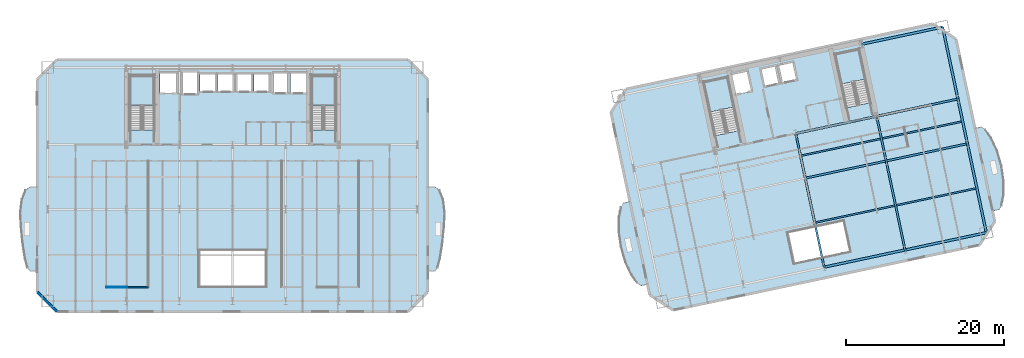
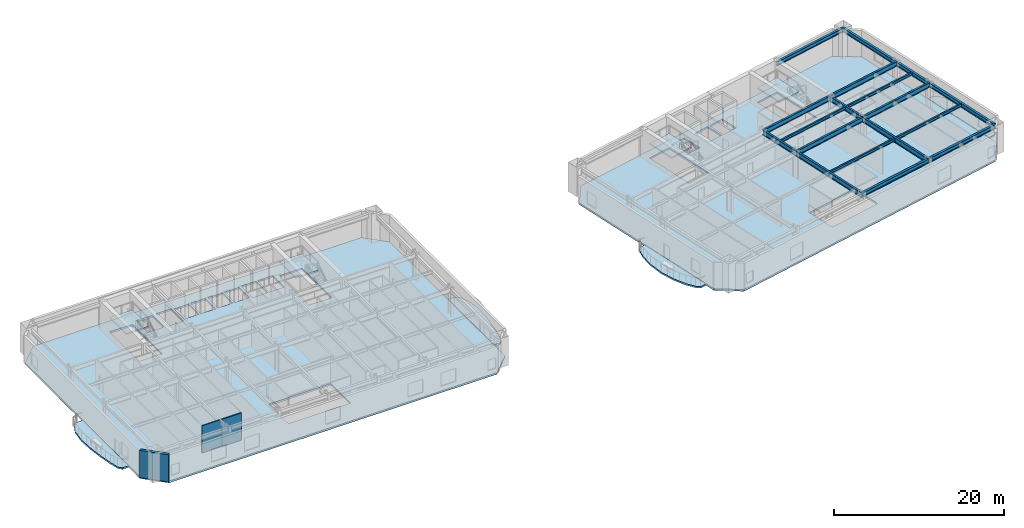
# One storey, part 4 of 15: 18 beams, 10 slabs, 3 walls, 4 elements without a shape of their own.
"""IFC4 building model written with IfcOpenShell, lengths in metres."""

from ifc_helpers import new_model, si_unit, direction, frame, frame_2d, origin, origin_2d, place, context, subcontext, project, spatial, polyline, rectangle, i_section, outline, extrude, material, layer, layer_set, material_profile, profile_set, type_object, element, aggregate, save


model = new_model("IFC4")

# Units and contexts
model_context = context("Model", 3, precision=1e-05, world=origin(), true_north=direction((0.0, 1.0)))
body_context = subcontext(model_context, "Body", "Model", "MODEL_VIEW")
ifc_project = project(units=[si_unit("LENGTHUNIT", "METRE"), si_unit("AREAUNIT", "SQUARE_METRE"), si_unit("VOLUMEUNIT", "CUBIC_METRE"), si_unit("PLANEANGLEUNIT", "RADIAN"), si_unit("MASSUNIT", "GRAM", prefix="KILO")], contexts=[model_context])

# Site, building, storey
site_placement = place(None, origin())
site = spatial("IfcSite", under=ifc_project, at=site_placement, CompositionType="ELEMENT")
building_placement = place(site_placement, origin())
building = spatial("IfcBuilding", under=site, at=building_placement, Name="Haevon Station Towers", CompositionType="ELEMENT")
storey_placement = place(building_placement, frame((0.0, 0.0, 77.699951171875)))
storey = spatial("IfcBuildingStorey", under=building, at=storey_placement, Name="L20", CompositionType="ELEMENT", Elevation=77.699951171875)

# Beams
ifc_material_1 = material(Name="Steel S355", Category="steel")
ifc_material_profile_1 = material_profile(ifc_material_1, i_section(OverallWidth=0.25, OverallDepth=0.699951171875, WebThickness=0.012939453125, FlangeThickness=0.02392578125, at=origin_2d()), Name="H-700x250x13x24")
ifc_profile_set_1 = profile_set([ifc_material_profile_1], Name="Steel S355")
beam_type_1 = type_object("IfcBeamType", Name="BM-G700", PredefinedType="BEAM", material=ifc_profile_set_1)
beam_1_placement = place(storey_placement, frame((110.228759765625, 33.9521484375, 3.570068359375), z_axis=(0.978146794194, 0.207915485254, 0.0), x_axis=(-0.207915485254, 0.978146794194, 0.0)))
element("IfcBeam", 1, at=beam_1_placement, inside=storey, type_object=beam_type_1, Name="BM-T2U-L20-02-03", PredefinedType="BEAM", context=body_context, shape_type="SweptSolid", body=[
    extrude(i_section(OverallWidth=0.25, OverallDepth=0.699951171875, WebThickness=0.012939453125, FlangeThickness=0.02392578125, at=origin_2d()), origin(), (0.0, 0.0, 1.0), 10.5),
])
beam_2_placement = place(storey_placement, frame((120.499267578125, 36.13525390625, 3.570068359375), z_axis=(0.978145498476, 0.207921580918, 0.0), x_axis=(-0.207921580918, 0.978145498476, 0.0)))
element("IfcBeam", 2, at=beam_2_placement, inside=storey, type_object=beam_type_1, Name="BM-T2U-L20-02-04", PredefinedType="BEAM", context=body_context, shape_type="SweptSolid", body=[
    extrude(i_section(OverallWidth=0.25, OverallDepth=0.699951171875, WebThickness=0.012939453125, FlangeThickness=0.02392578125, at=origin_2d()), origin(), (0.0, 0.0, 1.0), 10.550048828125),
])
beam_3_placement = place(storey_placement, frame((109.02294921875, 39.62548828125, 3.570068359375), z_axis=(0.978146794194, 0.207915485254, 0.0), x_axis=(-0.207915485254, 0.978146794194, 0.0)))
element("IfcBeam", 3, at=beam_3_placement, inside=storey, type_object=beam_type_1, Name="BM-T2U-L20-03-03", PredefinedType="BEAM", context=body_context, shape_type="SweptSolid", body=[
    extrude(i_section(OverallWidth=0.25, OverallDepth=0.699951171875, WebThickness=0.012939453125, FlangeThickness=0.02392578125, at=origin_2d()), origin(), (0.0, 0.0, 1.0), 10.5),
])
beam_4_placement = place(storey_placement, frame((119.29345703125, 41.80859375, 3.570068359375), z_axis=(0.978149204359, 0.207904146209, 0.0), x_axis=(-0.207904146209, 0.978149204359, 0.0)))
element("IfcBeam", 4, at=beam_4_placement, inside=storey, type_object=beam_type_1, Name="BM-T2U-L20-03-04", PredefinedType="BEAM", context=body_context, shape_type="SweptSolid", body=[
    extrude(i_section(OverallWidth=0.25, OverallDepth=0.699951171875, WebThickness=0.012939453125, FlangeThickness=0.02392578125, at=origin_2d()), origin(), (0.0, 0.0, 1.0), 10.5498046875),
])
beam_5_placement = place(storey_placement, frame((112.630126953125, 22.654541015625, 3.570068359375), z_axis=(-0.207910580697, 0.978147836697, 0.0), x_axis=(-0.978147836697, -0.207910580697, 0.0)))
element("IfcBeam", 5, at=beam_5_placement, inside=storey, type_object=beam_type_1, Name="BM-T2V-L20-03-01", PredefinedType="BEAM", context=body_context, shape_type="SweptSolid", body=[
    extrude(i_section(OverallWidth=0.25, OverallDepth=0.699951171875, WebThickness=0.012939453125, FlangeThickness=0.02392578125, at=origin_2d()), origin(), (0.0, 0.0, 1.0), 11.550048828125),
])
beam_6_placement = place(storey_placement, frame((110.228759765625, 33.9521484375, 3.570068359375), z_axis=(-0.207896009217, 0.97815093383, 0.0), x_axis=(-0.97815093383, -0.207896009217, 0.0)))
element("IfcBeam", 6, at=beam_6_placement, inside=storey, type_object=beam_type_1, Name="BM-T2V-L20-03-02", PredefinedType="BEAM", context=body_context, shape_type="SweptSolid", body=[
    extrude(i_section(OverallWidth=0.25, OverallDepth=0.699951171875, WebThickness=0.012939453125, FlangeThickness=0.02392578125, at=origin_2d()), origin(), (0.0, 0.0, 1.0), 5.800048828125),
])
beam_7_placement = place(storey_placement, frame((122.900634765625, 24.837646484375, 3.570068359375), z_axis=(-0.207910580697, 0.978147836697, 0.0), x_axis=(-0.978147836697, -0.207910580697, 0.0)))
element("IfcBeam", 7, at=beam_7_placement, inside=storey, type_object=beam_type_1, Name="BM-T2V-L20-04-01", PredefinedType="BEAM", context=body_context, shape_type="SweptSolid", body=[
    extrude(i_section(OverallWidth=0.25, OverallDepth=0.699951171875, WebThickness=0.012939453125, FlangeThickness=0.02392578125, at=origin_2d()), origin(), (0.0, 0.0, 1.0), 11.550048828125),
])
beam_8_placement = place(storey_placement, frame((120.499267578125, 36.13525390625, 3.570068359375), z_axis=(-0.207896009217, 0.97815093383, 0.0), x_axis=(-0.97815093383, -0.207896009217, 0.0)))
element("IfcBeam", 8, at=beam_8_placement, inside=storey, type_object=beam_type_1, Name="BM-T2V-L20-04-02", PredefinedType="BEAM", context=body_context, shape_type="SweptSolid", body=[
    extrude(i_section(OverallWidth=0.25, OverallDepth=0.699951171875, WebThickness=0.012939453125, FlangeThickness=0.02392578125, at=origin_2d()), origin(), (0.0, 0.0, 1.0), 5.800048828125),
])
ifc_material_profile_2 = material_profile(ifc_material_1, i_section(OverallWidth=0.199951171875, OverallDepth=0.39990234375, WebThickness=0.008056640625, FlangeThickness=0.012939453125, at=origin_2d()), Name="H-400x200x8x13")
ifc_profile_set_2 = profile_set([ifc_material_profile_2], Name="Steel S355")
beam_type_2 = type_object("IfcBeamType", Name="BM-J400", PredefinedType="JOIST", material=ifc_profile_set_2)
beam_9_placement = place(storey_placement, frame((111.537109375, 28.326416015625, 3.719970703125), z_axis=(0.978150339653, 0.207898804801, 0.0), x_axis=(-0.207898804801, 0.978150339653, 0.0)))
element("IfcBeam", 9, at=beam_9_placement, inside=storey, type_object=beam_type_2, Name="BM-T2J-L20-01-03", PredefinedType="JOIST", context=body_context, shape_type="SweptSolid", body=[
    extrude(i_section(OverallWidth=0.199951171875, OverallDepth=0.39990234375, WebThickness=0.008056640625, FlangeThickness=0.012939453125, at=origin_2d()), origin(), (0.0, 0.0, 1.0), 10.280029296875),
])
beam_10_placement = place(storey_placement, frame((121.8076171875, 30.50927734375, 3.719970703125), z_axis=(0.978147977643, 0.207909917591, 0.0), x_axis=(-0.207909917591, 0.978147977643, 0.0)))
element("IfcBeam", 10, at=beam_10_placement, inside=storey, type_object=beam_type_2, Name="BM-T2J-L20-01-04", PredefinedType="JOIST", context=body_context, shape_type="SweptSolid", body=[
    extrude(i_section(OverallWidth=0.199951171875, OverallDepth=0.39990234375, WebThickness=0.008056640625, FlangeThickness=0.012939453125, at=origin_2d()), origin(), (0.0, 0.0, 1.0), 10.330078125),
])
beam_11_placement = place(storey_placement, frame((109.7333984375, 36.811767578125, 3.719970703125), z_axis=(0.978150339653, 0.207898804801, 0.0), x_axis=(-0.207898804801, 0.978150339653, 0.0)))
element("IfcBeam", 11, at=beam_11_placement, inside=storey, type_object=beam_type_2, Name="BM-T2J-L20-02-03", PredefinedType="JOIST", context=body_context, shape_type="SweptSolid", body=[
    extrude(i_section(OverallWidth=0.199951171875, OverallDepth=0.39990234375, WebThickness=0.008056640625, FlangeThickness=0.012939453125, at=origin_2d()), origin(), (0.0, 0.0, 1.0), 10.280029296875),
])
beam_12_placement = place(storey_placement, frame((120.00390625, 38.994873046875, 3.719970703125), z_axis=(0.978147977643, 0.207909917591, 0.0), x_axis=(-0.207909917591, 0.978147977643, 0.0)))
element("IfcBeam", 12, at=beam_12_placement, inside=storey, type_object=beam_type_2, Name="BM-T2J-L20-02-04", PredefinedType="JOIST", context=body_context, shape_type="SweptSolid", body=[
    extrude(i_section(OverallWidth=0.199951171875, OverallDepth=0.39990234375, WebThickness=0.008056640625, FlangeThickness=0.012939453125, at=origin_2d()), origin(), (0.0, 0.0, 1.0), 10.330078125),
])
ifc_material_profile_3 = material_profile(ifc_material_1, i_section(OverallWidth=0.300048828125, OverallDepth=0.587890625, WebThickness=0.011962890625, FlangeThickness=0.02001953125, at=origin_2d()), Name="H-588x300x12x20")
ifc_profile_set_3 = profile_set([ifc_material_profile_3], Name="Steel S355")
beam_type_3 = type_object("IfcBeamType", Name="BM-SP588", PredefinedType="SPANDREL", material=ifc_profile_set_3)
beam_13_placement = place(storey_placement, frame((112.630126953125, 22.654541015625, 3.6259765625), z_axis=(0.978146794194, 0.207915485254, 0.0), x_axis=(-0.207915485254, 0.978146794194, 0.0)))
element("IfcBeam", 13, at=beam_13_placement, inside=storey, type_object=beam_type_3, Name="BM-T2U-L20-01-03", PredefinedType="SPANDREL", context=body_context, shape_type="SweptSolid", body=[
    extrude(i_section(OverallWidth=0.300048828125, OverallDepth=0.587890625, WebThickness=0.011962890625, FlangeThickness=0.02001953125, at=origin_2d()), origin(), (0.0, 0.0, 1.0), 10.5),
])
for number, where, z_axis, x_axis, name in (
    (14, (122.900634765625, 24.837646484375, 3.6259765625), (0.978145498476, 0.207921580918, 0.0), (-0.207921580918, 0.978145498476, 0.0), "BM-T2U-L20-01-04"),
    (15, (117.349365234375, 50.954345703125, 3.6259765625), (0.978150204601, 0.207899440208, 0.0), (-0.207899440208, 0.978150204601, 0.0), "BM-T2U-L20-04-04"),
):
    element("IfcBeam", number, at=place(storey_placement, frame(where, z_axis=z_axis, x_axis=x_axis)), inside=storey, type_object=beam_type_3, Name=name, PredefinedType="SPANDREL", context=body_context, shape_type="SweptSolid", body=[
        extrude(i_section(OverallWidth=0.300048828125, OverallDepth=0.587890625, WebThickness=0.011962890625, FlangeThickness=0.02001953125, at=origin_2d()), origin(), (0.0, 0.0, 1.0), 10.550048828125),
    ])
beam_14_placement = place(storey_placement, frame((133.22021484375, 27.03125, 3.6259765625), z_axis=(-0.207910580697, 0.978147836697, 0.0), x_axis=(-0.978147836697, -0.207910580697, 0.0)))
element("IfcBeam", 16, at=beam_14_placement, inside=storey, type_object=beam_type_3, Name="BM-T2V-L20-05-01", PredefinedType="SPANDREL", context=body_context, shape_type="SweptSolid", body=[
    extrude(i_section(OverallWidth=0.300048828125, OverallDepth=0.587890625, WebThickness=0.011962890625, FlangeThickness=0.02001953125, at=origin_2d()), origin(), (0.0, 0.0, 1.0), 11.550048828125),
])
beam_15_placement = place(storey_placement, frame((130.81884765625, 38.328857421875, 3.6259765625), z_axis=(-0.207944843707, 0.978140553282, 0.0), x_axis=(-0.978140553282, -0.207944843707, 0.0)))
element("IfcBeam", 17, at=beam_15_placement, inside=storey, type_object=beam_type_3, Name="BM-T2V-L20-05-02", PredefinedType="SPANDREL", context=body_context, shape_type="SweptSolid", body=[
    extrude(i_section(OverallWidth=0.300048828125, OverallDepth=0.587890625, WebThickness=0.011962890625, FlangeThickness=0.02001953125, at=origin_2d()), origin(), (0.0, 0.0, 1.0), 5.7998046875),
])
beam_16_placement = place(storey_placement, frame((129.61279296875, 44.001953125, 3.6259765625), z_axis=(-0.207897167074, 0.978150687738, 0.0), x_axis=(-0.978150687738, -0.207897167074, 0.0)))
element("IfcBeam", 18, at=beam_16_placement, inside=storey, type_object=beam_type_3, Name="BM-T2V-L20-05-03", PredefinedType="SPANDREL", context=body_context, shape_type="SweptSolid", body=[
    extrude(i_section(OverallWidth=0.300048828125, OverallDepth=0.587890625, WebThickness=0.011962890625, FlangeThickness=0.02001953125, at=origin_2d()), origin(), (0.0, 0.0, 1.0), 9.35009765625),
])

# Slabs
ifc_material_2 = material(Name="Concrete C40/50", Category="concrete")
ifc_layer_1 = layer(ifc_material_2, 0.219970703125)
ifc_layer_set_1 = layer_set([ifc_layer_1], Name="Concrete C40/50")
slab_type_1 = type_object("IfcSlabType", Name="SL-BALC220", PredefinedType="FLOOR", material=ifc_layer_set_1)
slab_1_placement = place(storey_placement, frame((0.0, 0.0, -0.219970703125)))
element("IfcSlab", 19, at=slab_1_placement, inside=storey, type_object=slab_type_1, Name="Tower 1 L20 West SCALLOPED BALCONY", PredefinedType="FLOOR", context=body_context, shape_type="SweptSolid", body=[
    extrude(outline(polyline([(12.695068359375, 32.89990234375), (11.81298828125, 32.89990234375), (11.231689453125, 32.489013671875), (10.7412109375, 31.318359375), (10.51611328125, 29.56640625), (10.594970703125, 27.5), (10.859130859375, 25.43359375), (11.162353515625, 23.681640625), (11.462158203125, 22.510986328125), (11.81298828125, 22.10009765625), (12.695068359375, 22.10009765625), (12.695068359375, 32.89990234375)])), origin(), (0.0, 0.0, 1.0), 0.219970703125),
])
slab_2_placement = place(storey_placement, frame((0.0, 0.0, -0.219970703125)))
element("IfcSlab", 20, at=slab_2_placement, inside=storey, type_object=slab_type_1, Name="Tower 1 L20 East SCALLOPED BALCONY", PredefinedType="FLOOR", context=body_context, shape_type="SweptSolid", body=[
    extrude(outline(polyline([(62.304931640625, 22.10009765625), (63.18701171875, 22.10009765625), (63.537841796875, 22.510986328125), (63.837646484375, 23.681640625), (64.140869140625, 25.43359375), (64.405029296875, 27.5), (64.48388671875, 29.56640625), (64.2587890625, 31.318359375), (63.768310546875, 32.489013671875), (63.18701171875, 32.89990234375), (62.304931640625, 32.89990234375), (62.304931640625, 22.10009765625)])), origin(), (0.0, 0.0, 1.0), 0.219970703125),
])
slab_3_placement = place(storey_placement, frame((0.0, 0.0, -0.219970703125)))
element("IfcSlab", 21, at=slab_3_placement, inside=storey, type_object=slab_type_1, Name="Tower 2 L20 West SCALLOPED BALCONY", PredefinedType="FLOOR", context=body_context, shape_type="SweptSolid", body=[
    extrude(outline(polyline([(87.949462890625, 31.005615234375), (87.1181640625, 30.8291015625), (86.8291015625, 30.347412109375), (86.5732421875, 29.09619140625), (86.511474609375, 27.2919921875), (86.77001953125, 25.234375), (87.370849609375, 23.24951171875), (88.160888671875, 21.62646484375), (88.903564453125, 20.58740234375), (89.363525390625, 20.264892578125), (90.195068359375, 20.441650390625), (87.949462890625, 31.005615234375)])), origin(), (0.0, 0.0, 1.0), 0.219970703125),
])
slab_4_placement = place(storey_placement, frame((0.0, 0.0, -0.219970703125)))
element("IfcSlab", 22, at=slab_4_placement, inside=storey, type_object=slab_type_1, Name="Tower 2 L20 East SCALLOPED BALCONY", PredefinedType="FLOOR", context=body_context, shape_type="SweptSolid", body=[
    extrude(outline(polyline([(134.02587890625, 29.75830078125), (134.857177734375, 29.93505859375), (135.146240234375, 30.416748046875), (135.402099609375, 31.667724609375), (135.4638671875, 33.471923828125), (135.205322265625, 35.529541015625), (134.6044921875, 37.5146484375), (133.814453125, 39.1376953125), (133.07177734375, 40.176513671875), (132.61181640625, 40.4990234375), (131.7802734375, 40.322265625), (134.02587890625, 29.75830078125)])), origin(), (0.0, 0.0, 1.0), 0.219970703125),
])

# Stair, slab
stair_type = type_object("IfcStairType", Name="STR-DL1450", PredefinedType="USERDEFINED", material=ifc_material_2)
stair_1_placement = place(storey_placement, origin())
stair_1 = element("IfcStair", 23, at=stair_1_placement, inside=storey, type_object=stair_type, Name="L20 Escape Stair ST1", ObjectType="TWO_RETURN_STAIR", PredefinedType="USERDEFINED")
ifc_layer_2 = layer(ifc_material_2, 0.199951171875)
ifc_layer_set_2 = layer_set([ifc_layer_2], Name="Concrete C40/50")
slab_type_2 = type_object("IfcSlabType", Name="SL-LND200", PredefinedType="LANDING", material=ifc_layer_set_2)
slab_5_placement = place(storey_placement, frame((0.0, 0.0, 1.900146484375)))
slab_5 = element("IfcSlab", 24, at=slab_5_placement, type_object=slab_type_2, Name="L20 ST1 Half Landing 1", PredefinedType="LANDING", context=body_context, shape_type="SweptSolid", body=[
    extrude(outline(polyline([(27.580078125, 43.1240234375), (27.580078125, 47.0), (24.47998046875, 47.0), (24.47998046875, 43.1240234375), (27.580078125, 43.1240234375)])), origin(), (0.0, 0.0, 1.0), 0.199951171875),
])
aggregate(stair_1, [slab_5])

stair_2_placement = place(storey_placement, origin())
stair_2 = element("IfcStair", 25, at=stair_2_placement, inside=storey, type_object=stair_type, Name="L20 Escape Stair ST2", ObjectType="TWO_RETURN_STAIR", PredefinedType="USERDEFINED")
slab_6_placement = place(storey_placement, frame((0.0, 0.0, 1.900146484375)))
slab_6 = element("IfcSlab", 26, at=slab_6_placement, type_object=slab_type_2, Name="L20 ST2 Half Landing 1", PredefinedType="LANDING", context=body_context, shape_type="SweptSolid", body=[
    extrude(outline(polyline([(50.6201171875, 43.1240234375), (50.6201171875, 47.0), (47.52001953125, 47.0), (47.52001953125, 43.1240234375), (50.6201171875, 43.1240234375)])), origin(), (0.0, 0.0, 1.0), 0.199951171875),
])
aggregate(stair_2, [slab_6])

stair_3_placement = place(storey_placement, origin())
stair_3 = element("IfcStair", 27, at=stair_3_placement, inside=storey, type_object=stair_type, Name="L20 Escape Stair ST3", ObjectType="TWO_RETURN_STAIR", PredefinedType="USERDEFINED")
slab_7_placement = place(storey_placement, frame((0.0, 0.0, 1.900146484375)))
slab_7 = element("IfcSlab", 28, at=slab_7_placement, type_object=slab_type_2, Name="L20 ST3 Half Landing 1", PredefinedType="LANDING", context=body_context, shape_type="SweptSolid", body=[
    extrude(outline(polyline([(101.171630859375, 42.99072265625), (100.36572265625, 46.781982421875), (97.33349609375, 46.137451171875), (98.139404296875, 42.34619140625), (101.171630859375, 42.99072265625)])), origin(), (0.0, 0.0, 1.0), 0.199951171875),
])
aggregate(stair_3, [slab_7])

stair_4_placement = place(storey_placement, origin())
stair_4 = element("IfcStair", 29, at=stair_4_placement, inside=storey, type_object=stair_type, Name="L20 Escape Stair ST4", ObjectType="TWO_RETURN_STAIR", PredefinedType="USERDEFINED")
slab_8_placement = place(storey_placement, frame((0.0, 0.0, 1.900146484375)))
slab_8 = element("IfcSlab", 30, at=slab_8_placement, type_object=slab_type_2, Name="L20 ST4 Half Landing 1", PredefinedType="LANDING", context=body_context, shape_type="SweptSolid", body=[
    extrude(outline(polyline([(117.85888671875, 46.53759765625), (117.052978515625, 50.328857421875), (114.020751953125, 49.684326171875), (114.82666015625, 45.89306640625), (117.85888671875, 46.53759765625)])), origin(), (0.0, 0.0, 1.0), 0.199951171875),
])
aggregate(stair_4, [slab_8])

# Slabs
ifc_layer_3 = layer(ifc_material_2, 0.25)
ifc_layer_set_3 = layer_set([ifc_layer_3], Name="Concrete C40/50")
slab_type_3 = type_object("IfcSlabType", Name="SL-TW250", PredefinedType="FLOOR", material=ifc_layer_set_3)
slab_9_placement = place(storey_placement, frame((0.0, 0.0, -0.25)))
element("IfcSlab", 31, at=slab_9_placement, inside=storey, type_object=slab_type_3, Name="SL-T1-L20", PredefinedType="FLOOR", context=body_context, shape_type="SweptSolid", body=[
    extrude(outline(polyline([(15.199951171875, 17.0), (59.800048828125, 17.0), (62.300048828125, 19.5), (62.300048828125, 46.5), (59.800048828125, 49.0), (15.199951171875, 49.0), (12.699951171875, 46.5), (12.699951171875, 19.5), (15.199951171875, 17.0)]), holes=[polyline([(27.580078125, 40.055908203125), (27.580078125, 47.0), (24.47998046875, 47.0), (24.47998046875, 40.055908203125), (27.580078125, 40.055908203125)]), polyline([(50.6201171875, 40.055908203125), (50.6201171875, 47.0), (47.52001953125, 47.0), (47.52001953125, 40.055908203125), (50.6201171875, 40.055908203125)]), polyline([(28.300048828125, 44.699951171875), (30.5, 44.699951171875), (30.5, 47.39990234375), (28.300048828125, 47.39990234375), (28.300048828125, 44.699951171875)]), polyline([(31.050048828125, 44.60009765625), (33.14990234375, 44.60009765625), (33.14990234375, 47.5), (31.050048828125, 47.5), (31.050048828125, 44.60009765625)]), polyline([(33.39990234375, 44.89990234375), (35.39990234375, 44.89990234375), (35.39990234375, 47.300048828125), (33.39990234375, 47.300048828125), (33.39990234375, 44.89990234375)]), polyline([(35.64990234375, 44.89990234375), (37.64990234375, 44.89990234375), (37.64990234375, 47.300048828125), (35.64990234375, 47.300048828125), (35.64990234375, 44.89990234375)]), polyline([(38.0, 44.89990234375), (40.0, 44.89990234375), (40.0, 47.300048828125), (38.0, 47.300048828125), (38.0, 44.89990234375)]), polyline([(40.25, 44.89990234375), (42.25, 44.89990234375), (42.25, 47.300048828125), (40.25, 47.300048828125), (40.25, 44.89990234375)]), polyline([(42.60009765625, 44.699951171875), (44.60009765625, 44.699951171875), (44.60009765625, 47.39990234375), (42.60009765625, 47.39990234375), (42.60009765625, 44.699951171875)]), polyline([(44.85009765625, 44.699951171875), (46.85009765625, 44.699951171875), (46.85009765625, 47.39990234375), (44.85009765625, 47.39990234375), (44.85009765625, 44.699951171875)]), polyline([(33.300048828125, 20.199951171875), (41.699951171875, 20.199951171875), (41.699951171875, 24.800048828125), (33.300048828125, 24.800048828125), (33.300048828125, 20.199951171875)])]), origin(), (0.0, 0.0, 1.0), 0.25),
])
slab_10_placement = place(storey_placement, frame((0.0, 0.0, -0.25)))
element("IfcSlab", 32, at=slab_10_placement, inside=storey, type_object=slab_type_3, Name="SL-T2-L20", PredefinedType="FLOOR", context=body_context, shape_type="SweptSolid", body=[
    extrude(outline(polyline([(93.44580078125, 17.19677734375), (132.3759765625, 25.4716796875), (134.301513671875, 28.436767578125), (129.3740234375, 51.618896484375), (126.408935546875, 53.54443359375), (87.478759765625, 45.26953125), (85.552978515625, 42.304443359375), (90.48046875, 19.122314453125), (93.44580078125, 17.19677734375)]), holes=[polyline([(101.8095703125, 39.98974609375), (100.36572265625, 46.781982421875), (97.33349609375, 46.137451171875), (98.77734375, 39.34521484375), (101.8095703125, 39.98974609375)]), polyline([(118.496826171875, 43.53662109375), (117.052978515625, 50.328857421875), (114.020751953125, 49.684326171875), (115.464599609375, 42.89208984375), (118.496826171875, 43.53662109375)]), polyline([(101.43212890625, 44.554931640625), (103.486328125, 44.99169921875), (102.9248046875, 47.632568359375), (100.870849609375, 47.196044921875), (101.43212890625, 44.554931640625)]), polyline([(105.009765625, 45.519775390625), (106.966064453125, 45.935791015625), (106.467041015625, 48.283203125), (104.5107421875, 47.867431640625), (105.009765625, 45.519775390625)]), polyline([(107.259521484375, 45.998046875), (109.2158203125, 46.413818359375), (108.716796875, 48.761474609375), (106.760498046875, 48.345703125), (107.259521484375, 45.998046875)]), polyline([(108.848876953125, 23.12890625), (115.8916015625, 24.625732421875), (115.06005859375, 28.538330078125), (108.017333984375, 27.04150390625), (108.848876953125, 23.12890625)])]), origin(), (0.0, 0.0, 1.0), 0.25),
])

# Walls
ifc_material_3 = material(Name="Precast concrete C45/55", Category="concrete")
ifc_layer_4 = layer(ifc_material_3, 0.340087890625)
ifc_layer_set_4 = layer_set([ifc_layer_4], Name="Precast concrete C45/55")
wall_type_1 = type_object("IfcWallType", Name="WL-EXT-PIER340", PredefinedType="SOLIDWALL", material=ifc_layer_set_4)
wall_1_placement = place(storey_placement, frame((15.199951171875, 17.0, 0.0), z_axis=(0.0, 0.0, 1.0), x_axis=(-0.707106781187, 0.707106781187, 0.0)))
element("IfcWall", 33, at=wall_1_placement, inside=storey, type_object=wall_type_1, Name="WL-T1-L20-SWC", PredefinedType="SOLIDWALL", context=body_context, shape_type="SweptSolid", body=[
    extrude(rectangle(XDim=3.53564453125, YDim=0.340087890625, at=frame_2d((1.767822265625, 0.0))), origin(), (0.0, 0.0, 1.0), 3.900146484375),
])
ifc_material_4 = material(Name="Gypsum board on steel stud", Category="steel")
ifc_layer_5 = layer(ifc_material_4, 0.125)
ifc_layer_set_5 = layer_set([ifc_layer_5], Name="Gypsum board on steel stud")
wall_type_2 = type_object("IfcWallType", Name="WL-PRT125", PredefinedType="PARTITIONING", material=ifc_layer_set_5)
wall_2_placement = place(storey_placement, frame((21.47998046875, 20.10009765625, 0.0), z_axis=(0.0, 0.0, 1.0), x_axis=(1.0, 0.0, 0.0)))
element("IfcWall", 34, at=wall_2_placement, inside=storey, type_object=wall_type_2, Name="WL-T1PT-L20-11", PredefinedType="PARTITIONING", context=body_context, shape_type="SweptSolid", body=[
    extrude(rectangle(XDim=2.669921875, YDim=0.125, at=frame_2d((1.3349609375, 0.0))), origin(), (0.0, 0.0, 1.0), 3.900146484375),
])
ifc_layer_6 = layer(ifc_material_4, 0.139892578125)
ifc_layer_set_6 = layer_set([ifc_layer_6], Name="Gypsum board on steel stud")
wall_type_3 = type_object("IfcWallType", Name="WL-PRT140", PredefinedType="PARTITIONING", material=ifc_layer_set_6)
wall_3_placement = place(storey_placement, frame((24.14990234375, 20.10009765625, 0.0), z_axis=(0.0, 0.0, 1.0), x_axis=(1.0, 0.0, 0.0)))
element("IfcWall", 35, at=wall_3_placement, inside=storey, type_object=wall_type_3, Name="WL-T1PT-L20-14", PredefinedType="PARTITIONING", context=body_context, shape_type="SweptSolid", body=[
    extrude(rectangle(XDim=2.670166015625, YDim=0.139892578125, at=frame_2d((1.3349609375, 0.0))), origin(), (0.0, 0.0, 1.0), 3.900146484375),
])

save(model, "model.ifc")
